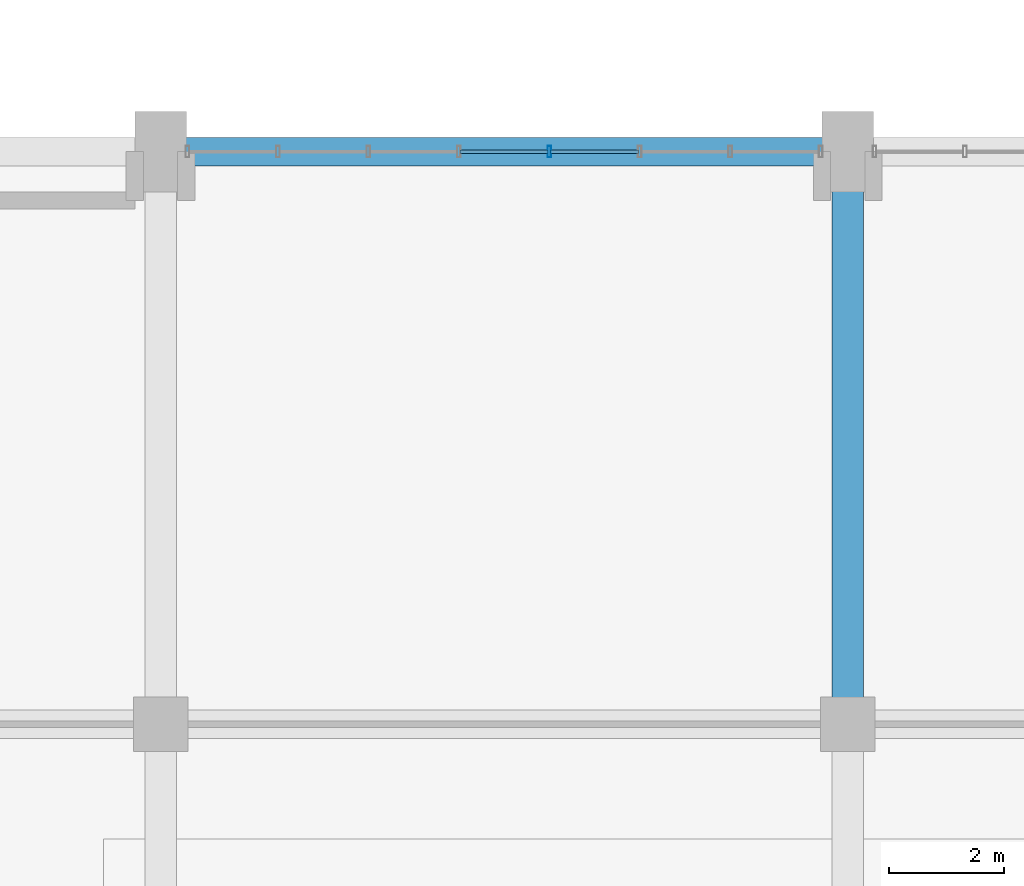
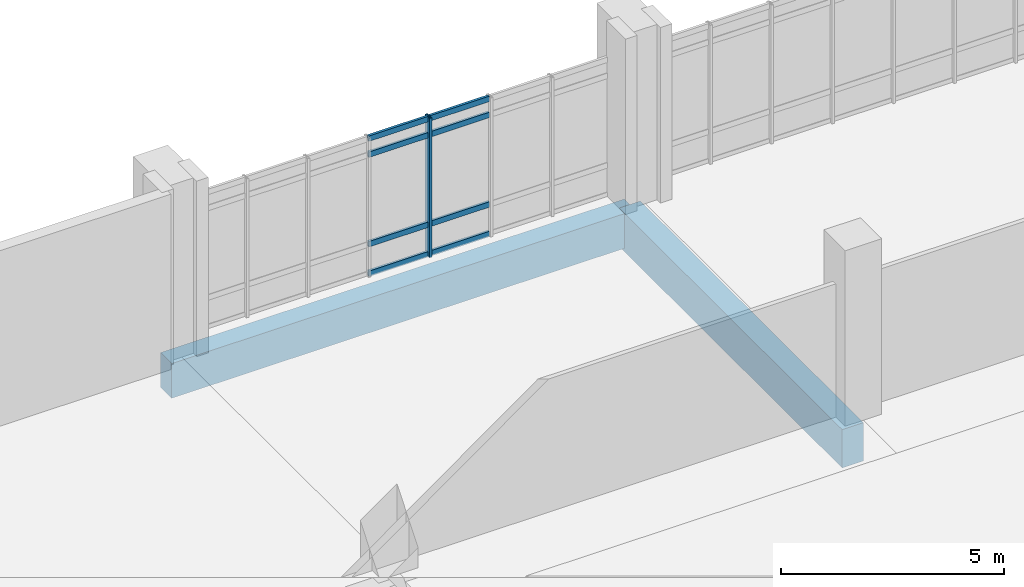
# One storey, part 16 of 87: 9 members, 2 beams, 1 element without a shape of its own.
"""IFC4 building model written with IfcOpenShell, lengths in metres."""

import ifcopenshell
import ifcopenshell.guid

model = None  # the IFC model being written
_history = None  # IfcOwnerHistory: only IFC2X3 demands one
_inside = {}  # id of a spatial element -> (the spatial element, [elements in it])
_under = {}  # id of a project, library or spatial element -> (it, [spatial elements below it])
_declared = {}  # id of a project -> (the project, [libraries it declares])
_typed = {}  # id of a type object -> (the type object, [elements of that type])
_made_of = {}  # id of a material, layer set ... -> (it, [elements and type objects made of it])


def new_model(schema):
    """Start an empty IFC model of exactly this schema.

    Asked for "IFC4X3", IfcOpenShell would pick the latest addendum, in which some entities
    have other attributes; the version numbers below select the first issue.
    IFC2X3 requires an IfcOwnerHistory on every rooted entity: one is made here for all.
    """
    global model, _history
    if schema == "IFC4X3":
        model = ifcopenshell.file(schema_version=(4, 3, 0, 0))
    else:
        model = ifcopenshell.file(schema=schema)
    _inside.clear()
    _under.clear()
    _declared.clear()
    _typed.clear()
    _made_of.clear()
    _history = None
    if model.schema == "IFC2X3":
        org = make("IfcOrganization", Name="unknown")
        user = make(
            "IfcPersonAndOrganization",
            ThePerson=make("IfcPerson", FamilyName="unknown"),
            TheOrganization=org,
        )
        app = make(
            "IfcApplication",
            ApplicationDeveloper=org,
            Version="unknown",
            ApplicationFullName="unknown",
            ApplicationIdentifier="unknown",
        )
        _history = make(
            "IfcOwnerHistory",
            OwningUser=user,
            OwningApplication=app,
            ChangeAction="ADDED",
            CreationDate=0,
        )
    return model


def make(cls, **values):
    """One entity of the class cls with the attributes given. An attribute that is None is left unset."""
    return model.create_entity(
        cls, **{name: value for name, value in values.items() if value is not None}
    )


def rooted(cls, **values):
    """An entity with a GlobalId (a new one), such as an element, a storey or a relation."""
    return make(cls, GlobalId=ifcopenshell.guid.new(), OwnerHistory=_history, **values)


def si_unit(unit_type, name, prefix=None):
    """IfcSIUnit, for example si_unit("LENGTHUNIT", "METRE", prefix="MILLI")."""
    return make("IfcSIUnit", UnitType=unit_type, Prefix=prefix, Name=name)


def assignment(units):
    """IfcUnitAssignment: the units of a project."""
    return None if units is None else make("IfcUnitAssignment", Units=units)


def point(xyz):
    """IfcCartesianPoint."""
    return None if xyz is None else make("IfcCartesianPoint", Coordinates=xyz)


def direction(xyz):
    """IfcDirection."""
    return None if xyz is None else make("IfcDirection", DirectionRatios=xyz)


def frame(location, z_axis=None, x_axis=None):
    """IfcAxis2Placement3D, a coordinate frame: its origin and axes. An axis left out is left unset."""
    return make(
        "IfcAxis2Placement3D",
        Location=point(location),
        Axis=direction(z_axis),
        RefDirection=direction(x_axis),
    )


def frame_2d(location, x_axis=None):
    """IfcAxis2Placement2D, a coordinate frame in the plane: its origin and x axis."""
    return make(
        "IfcAxis2Placement2D", Location=point(location), RefDirection=direction(x_axis)
    )


def origin():
    """The frame at (0, 0, 0) with its axes left unset."""
    return frame((0.0, 0.0, 0.0))


def origin_2d():
    """The frame at (0, 0) in the plane with its x axis left unset."""
    return frame_2d((0.0, 0.0))


def place(relative_to, where):
    """IfcLocalPlacement: puts the frame where relative to a parent placement (None: the world)."""
    return make(
        "IfcLocalPlacement", PlacementRelTo=relative_to, RelativePlacement=where
    )


def context(
    kind, dimensions, precision=None, world=None, true_north=None, identifier=None
):
    """IfcGeometricRepresentationContext, for example the 3D "Model" context."""
    return make(
        "IfcGeometricRepresentationContext",
        ContextIdentifier=identifier,
        ContextType=kind,
        CoordinateSpaceDimension=dimensions,
        Precision=precision,
        WorldCoordinateSystem=world,
        TrueNorth=true_north,
    )


def subcontext(parent, identifier, kind, view, scale=None):
    """IfcGeometricRepresentationSubContext, for example "Body" below "Model"."""
    return make(
        "IfcGeometricRepresentationSubContext",
        ContextIdentifier=identifier,
        ContextType=kind,
        ParentContext=parent,
        TargetScale=scale,
        TargetView=view,
    )


def project(units=None, contexts=None):
    """IfcProject with its units and contexts."""
    return rooted(
        "IfcProject",
        Name="project",
        RepresentationContexts=contexts,
        UnitsInContext=assignment(units),
    )


def spatial(cls, under=None, at=None, **own):
    """A site, building, storey or space (cls), placed at a placement, below another one or the project."""
    s = rooted(cls, ObjectPlacement=at, **own)
    if under is not None:
        _under.setdefault(under.id(), (under, []))[1].append(s)
    return s


def profile(cls, at=None, kind="AREA", **sizes):
    """A parametric profile (cls). Its sizes go by their IFC names, for example OverallWidth=200.0."""
    return make(cls, ProfileType=kind, Position=at, **sizes)


def rectangle(**sizes):
    """IfcRectangleProfileDef."""
    return profile("IfcRectangleProfileDef", **sizes)


def hollow_rectangle(**sizes):
    """IfcRectangleHollowProfileDef."""
    return profile("IfcRectangleHollowProfileDef", **sizes)


def extrude(swept, where, along, depth):
    """IfcExtrudedAreaSolid: the profile swept, set in the frame where, extruded along a direction by depth."""
    return make(
        "IfcExtrudedAreaSolid",
        SweptArea=swept,
        Position=where,
        ExtrudedDirection=direction(along),
        Depth=depth,
    )


def shape(context_of_items, identifier, shape_type, items):
    """IfcShapeRepresentation: the items that make up one representation, for example the "Body"."""
    return make(
        "IfcShapeRepresentation",
        ContextOfItems=context_of_items,
        RepresentationIdentifier=identifier,
        RepresentationType=shape_type,
        Items=items,
    )


def material(Name=None, Category=None):
    """IfcMaterial."""
    return make("IfcMaterial", Name=Name, Category=Category)


def layer(
    of_material, thickness, ventilated=None, Name=None, Category=None, Priority=None
):
    """IfcMaterialLayer: one layer of a wall or slab, of a material (None: an air gap)."""
    return make(
        "IfcMaterialLayer",
        Material=of_material,
        LayerThickness=thickness,
        IsVentilated=ventilated,
        Name=Name,
        Category=Category,
        Priority=Priority,
    )


def layer_set(layers, Name=None):
    """IfcMaterialLayerSet."""
    return make("IfcMaterialLayerSet", MaterialLayers=layers, LayerSetName=Name)


def material_profile(
    of_material, cross_section, Name=None, Category=None, Priority=None
):
    """IfcMaterialProfile: a cross section and its material."""
    return make(
        "IfcMaterialProfile",
        Name=Name,
        Material=of_material,
        Profile=cross_section,
        Priority=Priority,
        Category=Category,
    )


def profile_set(profiles, Name=None, composite=None):
    """IfcMaterialProfileSet."""
    return make(
        "IfcMaterialProfileSet",
        Name=Name,
        MaterialProfiles=profiles,
        CompositeProfile=composite,
    )


def made_of(thing, what):
    """Note that an element or type object is made of a material, layer set ...; save() writes the relation."""
    if what is not None:
        _made_of.setdefault(what.id(), (what, []))[1].append(thing)
    return thing


def type_object(cls, material=None, **own):
    """A type object (cls), such as IfcWallType, which elements share."""
    return made_of(rooted(cls, **own), material)


def element(
    cls,
    number,
    at=None,
    inside=None,
    cuts=None,
    type_object=None,
    material=None,
    context=None,
    identifier="Body",
    shape_type=None,
    held_by="IfcProductDefinitionShape",
    body=None,
    shapes=None,
    **own,
):
    """One element of the class cls, such as IfcWall. Its Tag is "e" and its number.

    at: its placement. inside: the storey or other place that contains it. cuts: it is an
    opening in that element (IfcRelVoidsElement). A single representation is given by context,
    identifier, shape_type and body (its items); several are given by shapes. held_by: the class
    of the entity that holds the representations. save() writes the other relations.
    """
    e = rooted(cls, Tag="e%d" % number, ObjectPlacement=at, **own)
    if body is not None:
        shapes = [shape(context, identifier, shape_type, body)]
    if shapes is not None:
        e.Representation = make(held_by, Representations=shapes)
    if inside is not None:
        _inside.setdefault(inside.id(), (inside, []))[1].append(e)
    if cuts is not None:
        rooted(
            "IfcRelVoidsElement", RelatingBuildingElement=cuts, RelatedOpeningElement=e
        )
    if type_object is not None:
        _typed.setdefault(type_object.id(), (type_object, []))[1].append(e)
    return made_of(e, material)


def aggregate(whole, parts):
    """IfcRelAggregates: a whole, such as a stair, and the parts it consists of."""
    return rooted("IfcRelAggregates", RelatingObject=whole, RelatedObjects=parts)


def save(model, path):
    """Write the relations noted so far, then the file.

    IfcRelAggregates (storeys below a building ...), IfcRelContainedInSpatialStructure (elements
    in a storey), IfcRelDefinesByType, IfcRelAssociatesMaterial and IfcRelDeclares: one each for
    every whole, place, type object, material and project.
    """
    for whole, parts in _under.values():
        aggregate(whole, parts)
    for where, things in _inside.values():
        rooted(
            "IfcRelContainedInSpatialStructure",
            RelatedElements=things,
            RelatingStructure=where,
        )
    for kind, things in _typed.values():
        rooted("IfcRelDefinesByType", RelatedObjects=things, RelatingType=kind)
    for what, things in _made_of.values():
        rooted("IfcRelAssociatesMaterial", RelatedObjects=things, RelatingMaterial=what)
    for by, libraries in _declared.values():
        rooted("IfcRelDeclares", RelatingContext=by, RelatedDefinitions=libraries)
    model.write(path)


model = new_model("IFC4")

# Units and contexts
model_context = context("Model", 3, precision=1e-05, world=origin(), true_north=direction((0.0, 1.0)))
body_context = subcontext(model_context, "Body", "Model", "MODEL_VIEW")
ifc_project = project(units=[si_unit("LENGTHUNIT", "METRE"), si_unit("AREAUNIT", "SQUARE_METRE"), si_unit("VOLUMEUNIT", "CUBIC_METRE"), si_unit("PLANEANGLEUNIT", "RADIAN"), si_unit("MASSUNIT", "GRAM", prefix="KILO")], contexts=[model_context])

# Site, building, storey
site_placement = place(None, origin())
site = spatial("IfcSite", under=ifc_project, at=site_placement, CompositionType="ELEMENT")
building_placement = place(site_placement, origin())
building = spatial("IfcBuilding", under=site, at=building_placement, Name="Mersad Railyard Sports Hall", CompositionType="ELEMENT")
storey_placement = place(building_placement, origin())
storey = spatial("IfcBuildingStorey", under=building, at=storey_placement, Name="L00", CompositionType="ELEMENT", Elevation=0.0)

# Curtain wall, members
ifc_material_1 = material(Name="Aluminium 6063-T6", Category="aluminium")
ifc_layer = layer(ifc_material_1, 0.199951171875)
ifc_layer_set = layer_set([ifc_layer], Name="Aluminium 6063-T6")
curtain_wall_type = type_object("IfcCurtainWallType", Name="ARC-CW-CW01", PredefinedType="USERDEFINED", material=ifc_layer_set)
curtain_wall_placement = place(storey_placement, origin())
curtain_wall = element("IfcCurtainWall", 1, at=curtain_wall_placement, inside=storey, type_object=curtain_wall_type, Name="Curtain wall CW01-0009", ObjectType="CURTAIN WALL", PredefinedType="USERDEFINED")
ifc_material_profile_1 = material_profile(ifc_material_1, hollow_rectangle(XDim=0.06494140625, YDim=0.199951171875, WallThickness=0.0048828125, at=origin_2d()), Name="AL MULLION 65x200x5")
ifc_profile_set_1 = profile_set([ifc_material_profile_1], Name="Aluminium 6063-T6")
member_type_1 = type_object("IfcMemberType", Name="ARC-CW-MUL02", PredefinedType="MULLION", material=ifc_profile_set_1)
member_1_placement = place(storey_placement, frame((37.7900390625, 53.5, -0.02001953125), z_axis=(0.0, 0.0, 1.0), x_axis=(1.0, 0.0, 0.0)))
member_1 = element("IfcMember", 2, at=member_1_placement, type_object=member_type_1, Name="CW01 Mullion 5", PredefinedType="MULLION", context=body_context, shape_type="SweptSolid", body=[
    extrude(hollow_rectangle(XDim=0.06494140625, YDim=0.199951171875, WallThickness=0.0048828125, at=origin_2d()), origin(), (0.0, 0.0, 1.0), 3.820068359375),
])
ifc_material_profile_2 = material_profile(ifc_material_1, hollow_rectangle(XDim=0.06494140625, YDim=0.14990234375, WallThickness=0.00439453125, at=origin_2d()), Name="AL TRANSOM 65x150x4.5")
ifc_profile_set_2 = profile_set([ifc_material_profile_2], Name="Aluminium 6063-T6")
member_type_2 = type_object("IfcMemberType", Name="ARC-CW-TRN02", PredefinedType="USERDEFINED", material=ifc_profile_set_2)
member_2_placement = place(storey_placement, frame((36.22998046875, 53.5, 0.0400390625), z_axis=(1.0, 0.0, 0.0), x_axis=(0.0, 1.0, 0.0)))
member_2 = element("IfcMember", 3, at=member_2_placement, type_object=member_type_2, Name="CW01 Transom 1-4", ObjectType="TRANSOM", PredefinedType="USERDEFINED", context=body_context, shape_type="SweptSolid", body=[
    extrude(hollow_rectangle(XDim=0.06494140625, YDim=0.14990234375, WallThickness=0.00439453125, at=origin_2d()), origin(), (0.0, 0.0, 1.0), 1.5400390625),
])
member_3_placement = place(storey_placement, frame((37.81005859375, 53.5, 0.0400390625), z_axis=(1.0, 0.0, 0.0), x_axis=(0.0, 1.0, 0.0)))
member_3 = element("IfcMember", 4, at=member_3_placement, type_object=member_type_2, Name="CW01 Transom 1-5", ObjectType="TRANSOM", PredefinedType="USERDEFINED", context=body_context, shape_type="SweptSolid", body=[
    extrude(hollow_rectangle(XDim=0.06494140625, YDim=0.14990234375, WallThickness=0.00439453125, at=origin_2d()), origin(), (0.0, 0.0, 1.0), 1.5400390625),
])
member_4_placement = place(storey_placement, frame((36.22998046875, 53.5, 0.85009765625), z_axis=(1.0, 0.0, 0.0), x_axis=(0.0, 1.0, 0.0)))
member_4 = element("IfcMember", 5, at=member_4_placement, type_object=member_type_2, Name="CW01 Transom 2-4", ObjectType="TRANSOM", PredefinedType="USERDEFINED", context=body_context, shape_type="SweptSolid", body=[
    extrude(hollow_rectangle(XDim=0.06494140625, YDim=0.14990234375, WallThickness=0.00439453125, at=origin_2d()), origin(), (0.0, 0.0, 1.0), 1.5400390625),
])
member_5_placement = place(storey_placement, frame((37.81005859375, 53.5, 0.85009765625), z_axis=(1.0, 0.0, 0.0), x_axis=(0.0, 1.0, 0.0)))
member_5 = element("IfcMember", 6, at=member_5_placement, type_object=member_type_2, Name="CW01 Transom 2-5", ObjectType="TRANSOM", PredefinedType="USERDEFINED", context=body_context, shape_type="SweptSolid", body=[
    extrude(hollow_rectangle(XDim=0.06494140625, YDim=0.14990234375, WallThickness=0.00439453125, at=origin_2d()), origin(), (0.0, 0.0, 1.0), 1.5400390625),
])
member_6_placement = place(storey_placement, frame((36.22998046875, 53.5, 3.300048828125), z_axis=(1.0, 0.0, 0.0), x_axis=(0.0, 1.0, 0.0)))
member_6 = element("IfcMember", 7, at=member_6_placement, type_object=member_type_2, Name="CW01 Transom 3-4", ObjectType="TRANSOM", PredefinedType="USERDEFINED", context=body_context, shape_type="SweptSolid", body=[
    extrude(hollow_rectangle(XDim=0.06494140625, YDim=0.14990234375, WallThickness=0.00439453125, at=origin_2d()), origin(), (0.0, 0.0, 1.0), 1.5400390625),
])
member_7_placement = place(storey_placement, frame((37.81005859375, 53.5, 3.300048828125), z_axis=(1.0, 0.0, 0.0), x_axis=(0.0, 1.0, 0.0)))
member_7 = element("IfcMember", 8, at=member_7_placement, type_object=member_type_2, Name="CW01 Transom 3-5", ObjectType="TRANSOM", PredefinedType="USERDEFINED", context=body_context, shape_type="SweptSolid", body=[
    extrude(hollow_rectangle(XDim=0.06494140625, YDim=0.14990234375, WallThickness=0.00439453125, at=origin_2d()), origin(), (0.0, 0.0, 1.0), 1.5400390625),
])
member_8_placement = place(storey_placement, frame((36.22998046875, 53.5, 3.739990234375), z_axis=(1.0, 0.0, 0.0), x_axis=(0.0, 1.0, 0.0)))
member_8 = element("IfcMember", 9, at=member_8_placement, type_object=member_type_2, Name="CW01 Transom 4-4", ObjectType="TRANSOM", PredefinedType="USERDEFINED", context=body_context, shape_type="SweptSolid", body=[
    extrude(hollow_rectangle(XDim=0.06494140625, YDim=0.14990234375, WallThickness=0.00439453125, at=origin_2d()), origin(), (0.0, 0.0, 1.0), 1.5400390625),
])
member_9_placement = place(storey_placement, frame((37.81005859375, 53.5, 3.739990234375), z_axis=(1.0, 0.0, 0.0), x_axis=(0.0, 1.0, 0.0)))
member_9 = element("IfcMember", 10, at=member_9_placement, type_object=member_type_2, Name="CW01 Transom 4-5", ObjectType="TRANSOM", PredefinedType="USERDEFINED", context=body_context, shape_type="SweptSolid", body=[
    extrude(hollow_rectangle(XDim=0.06494140625, YDim=0.14990234375, WallThickness=0.00439453125, at=origin_2d()), origin(), (0.0, 0.0, 1.0), 1.5400390625),
])
aggregate(curtain_wall, [member_1, member_2, member_3, member_4, member_5, member_6, member_7, member_8, member_9])

# Beams
ifc_material_2 = material(Name="Concrete C50/60", Category="concrete")
ifc_material_profile_3 = material_profile(ifc_material_2, rectangle(XDim=0.5, YDim=0.949951171875, at=origin_2d()), Name="RC 500x950")
ifc_profile_set_3 = profile_set([ifc_material_profile_3], Name="Concrete C50/60")
beam_type_1 = type_object("IfcBeamType", Name="STR-BM-B03", PredefinedType="BEAM", material=ifc_profile_set_3)
beam_1_placement = place(storey_placement, frame((31.0, 53.5, -0.925048828125), z_axis=(1.0, 0.0, 0.0), x_axis=(0.0, 1.0, 0.0)))
element("IfcBeam", 11, at=beam_1_placement, inside=storey, type_object=beam_type_1, Name="Beam B03-0024", PredefinedType="BEAM", context=body_context, shape_type="SweptSolid", body=[
    extrude(rectangle(XDim=0.5, YDim=0.949951171875, at=origin_2d()), origin(), (0.0, 0.0, 1.0), 12.0),
])
ifc_material_profile_4 = material_profile(ifc_material_2, rectangle(XDim=0.550048828125, YDim=1.050048828125, at=origin_2d()), Name="RC 550x1050")
ifc_profile_set_4 = profile_set([ifc_material_profile_4], Name="Concrete C50/60")
beam_type_2 = type_object("IfcBeamType", Name="STR-BM-B04", PredefinedType="BEAM", material=ifc_profile_set_4)
beam_2_placement = place(storey_placement, frame((43.0, 43.5, -0.97509765625), z_axis=(0.0, 1.0, 0.0), x_axis=(-1.0, 0.0, 0.0)))
element("IfcBeam", 12, at=beam_2_placement, inside=storey, type_object=beam_type_2, Name="Beam B04-0040", PredefinedType="BEAM", context=body_context, shape_type="SweptSolid", body=[
    extrude(rectangle(XDim=0.550048828125, YDim=1.050048828125, at=origin_2d()), origin(), (0.0, 0.0, 1.0), 10.0),
])

save(model, "model.ifc")
